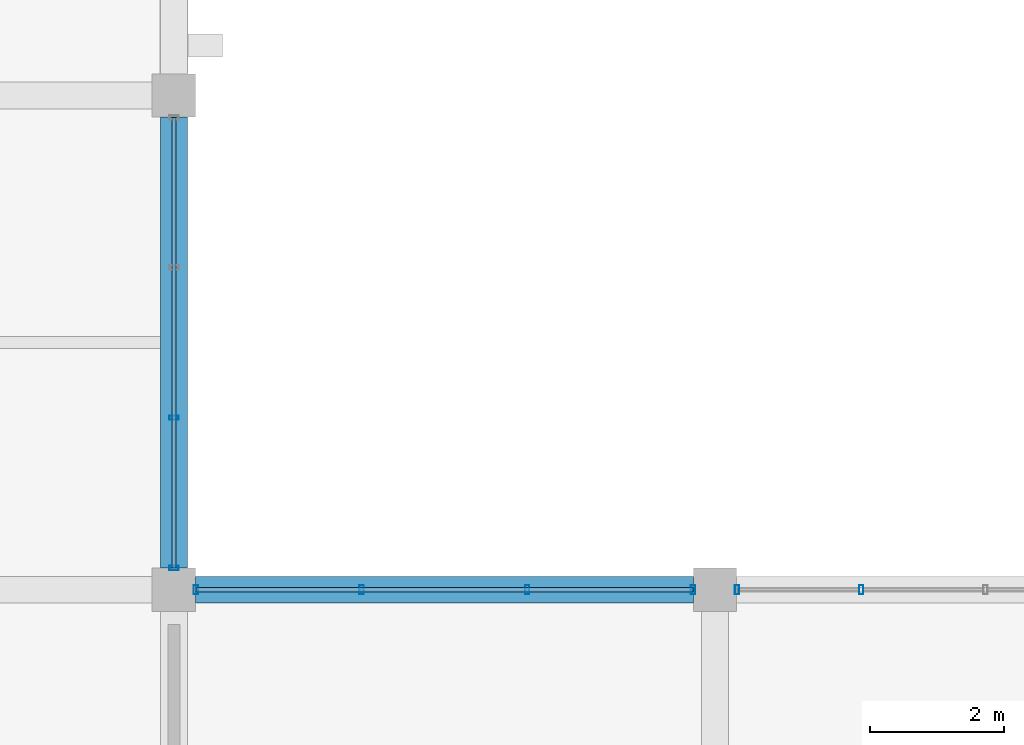
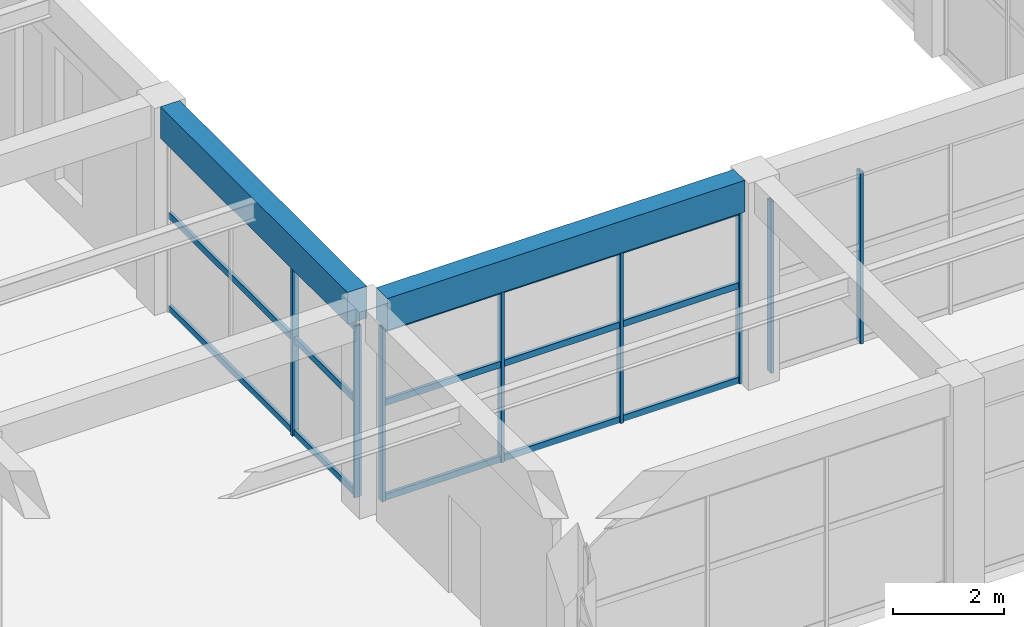
# One storey, part 116 of 161: 14 members, 2 beams, 3 elements without a shape of their own.
"""IFC4 building model written with IfcOpenShell, lengths in metres."""

from ifc_helpers import new_model, si_unit, direction, frame, origin, origin_2d, place, context, subcontext, project, spatial, rectangle, hollow_rectangle, extrude, material, material_profile, profile_set, type_object, element, aggregate, save


model = new_model("IFC4")

# Units and contexts
model_context = context("Model", 3, precision=1e-05, world=origin(), true_north=direction((0.0, 1.0)))
body_context = subcontext(model_context, "Body", "Model", "MODEL_VIEW")
ifc_project = project(units=[si_unit("LENGTHUNIT", "METRE"), si_unit("AREAUNIT", "SQUARE_METRE"), si_unit("VOLUMEUNIT", "CUBIC_METRE"), si_unit("PLANEANGLEUNIT", "RADIAN"), si_unit("MASSUNIT", "GRAM", prefix="KILO")], contexts=[model_context])

# Site, building, storey
site_placement = place(None, origin())
site = spatial("IfcSite", under=ifc_project, at=site_placement, CompositionType="ELEMENT")
building_placement = place(site_placement, origin())
building = spatial("IfcBuilding", under=site, at=building_placement, Name="Cimatlan Art Gallery", CompositionType="ELEMENT")
storey_placement = place(building_placement, frame((0.0, 0.0, 5.39990234375)))
storey = spatial("IfcBuildingStorey", under=building, at=storey_placement, Name="L01", CompositionType="ELEMENT", Elevation=5.39990234375)

# Beams
ifc_material_1 = material(Name="Concrete C40/50", Category="concrete")
ifc_material_profile_1 = material_profile(ifc_material_1, rectangle(XDim=0.39990234375, YDim=0.699951171875, at=origin_2d()), Name="RC400X700")
ifc_profile_set_1 = profile_set([ifc_material_profile_1], Name="Concrete C40/50")
beam_type = type_object("IfcBeamType", Name="BM-RC-400X700", PredefinedType="BEAM", material=ifc_profile_set_1)
beam_1_placement = place(storey_placement, frame((131.60009765625, 61.22509765625, 4.210205078125), z_axis=(0.0, 1.0, 0.0), x_axis=(-1.0, 0.0, 0.0)))
element("IfcBeam", 1, at=beam_1_placement, inside=storey, type_object=beam_type, Name="BM-Y-L01-16-08", PredefinedType="BEAM", context=body_context, shape_type="SweptSolid", body=[
    extrude(rectangle(XDim=0.39990234375, YDim=0.699951171875, at=origin_2d()), origin(), (0.0, 0.0, 1.0), 6.75),
])
beam_2_placement = place(storey_placement, frame((131.925048828125, 60.89990234375, 4.210205078125), z_axis=(1.0, 0.0, 0.0), x_axis=(0.0, 1.0, 0.0)))
element("IfcBeam", 2, at=beam_2_placement, inside=storey, type_object=beam_type, Name="BM-X-L01-16-08", PredefinedType="BEAM", context=body_context, shape_type="SweptSolid", body=[
    extrude(rectangle(XDim=0.39990234375, YDim=0.699951171875, at=origin_2d()), origin(), (0.0, 0.0, 1.0), 7.449951171875),
])

# Curtain wall, members
ifc_material_2 = material(Name="Anodised bronze unitised curtain wall")
curtain_wall_type_1 = type_object("IfcCurtainWallType", Name="CW-V-06742X03770-B3", PredefinedType="NOTDEFINED", material=ifc_material_2)
curtain_wall_1_placement = place(storey_placement, origin())
curtain_wall_1 = element("IfcCurtainWall", 3, at=curtain_wall_1_placement, inside=storey, type_object=curtain_wall_type_1, Name="CW-L01-15-08-E", PredefinedType="NOTDEFINED")
ifc_material_3 = material(Name="Anodised bronze aluminium 6063-T6", Category="aluminium")
ifc_material_profile_2 = material_profile(ifc_material_3, hollow_rectangle(XDim=0.06494140625, YDim=0.139892578125, WallThickness=0.00390625, at=origin_2d()), Name="ALU65X140X4")
ifc_profile_set_2 = profile_set([ifc_material_profile_2], Name="Anodised bronze aluminium 6063-T6")
member_type_1 = type_object("IfcMemberType", Name="CW-MUL-140", PredefinedType="MULLION", material=ifc_profile_set_2)
member_1_placement = place(storey_placement, frame((131.60009765625, 63.476318359375, 0.0), z_axis=(0.0, 0.0, 1.0), x_axis=(0.0, 1.0, 0.0)))
member_1 = element("IfcMember", 4, at=member_1_placement, type_object=member_type_1, Name="CW-L01-15-08-E-M3", PredefinedType="MULLION", context=body_context, shape_type="SweptSolid", body=[
    extrude(hollow_rectangle(XDim=0.06494140625, YDim=0.139892578125, WallThickness=0.00390625, at=origin_2d()), origin(), (0.0, 0.0, 1.0), 3.77001953125),
])
member_2_placement = place(storey_placement, frame((131.60009765625, 61.22900390625, 0.0), z_axis=(0.0, 0.0, 1.0), x_axis=(0.0, 1.0, 0.0)))
member_2 = element("IfcMember", 5, at=member_2_placement, type_object=member_type_1, Name="CW-L01-15-08-E-M4", PredefinedType="MULLION", context=body_context, shape_type="SweptSolid", body=[
    extrude(hollow_rectangle(XDim=0.06494140625, YDim=0.139892578125, WallThickness=0.00390625, at=origin_2d()), origin(), (0.0, 0.0, 1.0), 3.77001953125),
])

curtain_wall_type_2 = type_object("IfcCurtainWallType", Name="CW-V-07442X03830-B3", PredefinedType="NOTDEFINED", material=ifc_material_2)
curtain_wall_2_placement = place(storey_placement, origin())
curtain_wall_2 = element("IfcCurtainWall", 6, at=curtain_wall_2_placement, inside=storey, type_object=curtain_wall_type_2, Name="CW-L01-16-07-N", PredefinedType="NOTDEFINED")
member_3_placement = place(storey_placement, frame((131.928955078125, 60.89990234375, 0.0), z_axis=(0.0, 0.0, 1.0), x_axis=(1.0, 0.0, 0.0)))
member_3 = element("IfcMember", 7, at=member_3_placement, type_object=member_type_1, Name="CW-L01-16-07-N-M1", PredefinedType="MULLION", context=body_context, shape_type="SweptSolid", body=[
    extrude(hollow_rectangle(XDim=0.06494140625, YDim=0.139892578125, WallThickness=0.00390625, at=origin_2d()), origin(), (0.0, 0.0, 1.0), 3.830078125),
])
member_4_placement = place(storey_placement, frame((134.40966796875, 60.89990234375, 0.0), z_axis=(0.0, 0.0, 1.0), x_axis=(1.0, 0.0, 0.0)))
member_4 = element("IfcMember", 8, at=member_4_placement, type_object=member_type_1, Name="CW-L01-16-07-N-M2", PredefinedType="MULLION", context=body_context, shape_type="SweptSolid", body=[
    extrude(hollow_rectangle(XDim=0.06494140625, YDim=0.139892578125, WallThickness=0.00390625, at=origin_2d()), origin(), (0.0, 0.0, 1.0), 3.830078125),
])
member_5_placement = place(storey_placement, frame((136.890380859375, 60.89990234375, 0.0), z_axis=(0.0, 0.0, 1.0), x_axis=(1.0, 0.0, 0.0)))
member_5 = element("IfcMember", 9, at=member_5_placement, type_object=member_type_1, Name="CW-L01-16-07-N-M3", PredefinedType="MULLION", context=body_context, shape_type="SweptSolid", body=[
    extrude(hollow_rectangle(XDim=0.06494140625, YDim=0.139892578125, WallThickness=0.00390625, at=origin_2d()), origin(), (0.0, 0.0, 1.0), 3.830078125),
])
member_6_placement = place(storey_placement, frame((139.37109375, 60.89990234375, 0.0), z_axis=(0.0, 0.0, 1.0), x_axis=(1.0, 0.0, 0.0)))
member_6 = element("IfcMember", 10, at=member_6_placement, type_object=member_type_1, Name="CW-L01-16-07-N-M4", PredefinedType="MULLION", context=body_context, shape_type="SweptSolid", body=[
    extrude(hollow_rectangle(XDim=0.06494140625, YDim=0.139892578125, WallThickness=0.00390625, at=origin_2d()), origin(), (0.0, 0.0, 1.0), 3.830078125),
])

curtain_wall_type_3 = type_object("IfcCurtainWallType", Name="CW-V-07442X03785-B4", PredefinedType="NOTDEFINED", material=ifc_material_2)
curtain_wall_3_placement = place(storey_placement, origin())
curtain_wall_3 = element("IfcCurtainWall", 11, at=curtain_wall_3_placement, inside=storey, type_object=curtain_wall_type_3, Name="CW-L01-17-07-N", PredefinedType="NOTDEFINED")
member_7_placement = place(storey_placement, frame((140.029052734375, 60.89990234375, 0.0), z_axis=(0.0, 0.0, 1.0), x_axis=(1.0, 0.0, 0.0)))
member_7 = element("IfcMember", 12, at=member_7_placement, type_object=member_type_1, Name="CW-L01-17-07-N-M1", PredefinedType="MULLION", context=body_context, shape_type="SweptSolid", body=[
    extrude(hollow_rectangle(XDim=0.06494140625, YDim=0.139892578125, WallThickness=0.00390625, at=origin_2d()), origin(), (0.0, 0.0, 1.0), 3.78515625),
])
member_8_placement = place(storey_placement, frame((141.889404296875, 60.89990234375, 0.0), z_axis=(0.0, 0.0, 1.0), x_axis=(1.0, 0.0, 0.0)))
member_8 = element("IfcMember", 13, at=member_8_placement, type_object=member_type_1, Name="CW-L01-17-07-N-M2", PredefinedType="MULLION", context=body_context, shape_type="SweptSolid", body=[
    extrude(hollow_rectangle(XDim=0.06494140625, YDim=0.139892578125, WallThickness=0.00390625, at=origin_2d()), origin(), (0.0, 0.0, 1.0), 3.78515625),
])
aggregate(curtain_wall_3, [member_7, member_8])

# Member
ifc_material_profile_3 = material_profile(ifc_material_3, hollow_rectangle(XDim=0.06494140625, YDim=0.139892578125, WallThickness=0.00390625, at=origin_2d()), Name="ALU65X140X4")
ifc_profile_set_3 = profile_set([ifc_material_profile_3], Name="Anodised bronze aluminium 6063-T6")
member_type_2 = type_object("IfcMemberType", Name="CW-TRN-140", PredefinedType="USERDEFINED", material=ifc_profile_set_3)
member_9_placement = place(storey_placement, frame((131.60009765625, 67.970947265625, 0.06005859375), z_axis=(0.0, -1.0, 0.0), x_axis=(1.0, 0.0, 0.0)))
member_9 = element("IfcMember", 14, at=member_9_placement, type_object=member_type_2, Name="CW-L01-15-08-E-T1", ObjectType="TRANSOM", PredefinedType="USERDEFINED", context=body_context, shape_type="SweptSolid", body=[
    extrude(hollow_rectangle(XDim=0.06494140625, YDim=0.139892578125, WallThickness=0.00390625, at=origin_2d()), origin(), (0.0, 0.0, 1.0), 6.741943359375),
])

member_10_placement = place(storey_placement, frame((131.60009765625, 67.970947265625, 2.111328125), z_axis=(0.0, -1.0, 0.0), x_axis=(1.0, 0.0, 0.0)))
member_10 = element("IfcMember", 15, at=member_10_placement, type_object=member_type_2, Name="CW-L01-15-08-E-T2", ObjectType="TRANSOM", PredefinedType="USERDEFINED", context=body_context, shape_type="SweptSolid", body=[
    extrude(hollow_rectangle(XDim=0.06494140625, YDim=0.139892578125, WallThickness=0.00390625, at=origin_2d()), origin(), (0.0, 0.0, 1.0), 6.741943359375),
])

member_11_placement = place(storey_placement, frame((131.60009765625, 67.970947265625, 3.710205078125), z_axis=(0.0, -1.0, 0.0), x_axis=(1.0, 0.0, 0.0)))
member_11 = element("IfcMember", 16, at=member_11_placement, type_object=member_type_2, Name="CW-L01-15-08-E-T3", ObjectType="TRANSOM", PredefinedType="USERDEFINED", context=body_context, shape_type="SweptSolid", body=[
    extrude(hollow_rectangle(XDim=0.06494140625, YDim=0.139892578125, WallThickness=0.00390625, at=origin_2d()), origin(), (0.0, 0.0, 1.0), 6.741943359375),
])

aggregate(curtain_wall_1, [member_1, member_2, member_9, member_10, member_11])

member_12_placement = place(storey_placement, frame((131.928955078125, 60.89990234375, 0.06005859375), z_axis=(1.0, 0.0, 0.0), x_axis=(0.0, 1.0, 0.0)))
member_12 = element("IfcMember", 17, at=member_12_placement, type_object=member_type_2, Name="CW-L01-16-07-N-T1", ObjectType="TRANSOM", PredefinedType="USERDEFINED", context=body_context, shape_type="SweptSolid", body=[
    extrude(hollow_rectangle(XDim=0.06494140625, YDim=0.139892578125, WallThickness=0.00390625, at=origin_2d()), origin(), (0.0, 0.0, 1.0), 7.442138671875),
])

member_13_placement = place(storey_placement, frame((131.928955078125, 60.89990234375, 2.14501953125), z_axis=(1.0, 0.0, 0.0), x_axis=(0.0, 1.0, 0.0)))
member_13 = element("IfcMember", 18, at=member_13_placement, type_object=member_type_2, Name="CW-L01-16-07-N-T2", ObjectType="TRANSOM", PredefinedType="USERDEFINED", context=body_context, shape_type="SweptSolid", body=[
    extrude(hollow_rectangle(XDim=0.06494140625, YDim=0.139892578125, WallThickness=0.00390625, at=origin_2d()), origin(), (0.0, 0.0, 1.0), 7.442138671875),
])

member_14_placement = place(storey_placement, frame((131.928955078125, 60.89990234375, 3.77001953125), z_axis=(1.0, 0.0, 0.0), x_axis=(0.0, 1.0, 0.0)))
member_14 = element("IfcMember", 19, at=member_14_placement, type_object=member_type_2, Name="CW-L01-16-07-N-T3", ObjectType="TRANSOM", PredefinedType="USERDEFINED", context=body_context, shape_type="SweptSolid", body=[
    extrude(hollow_rectangle(XDim=0.06494140625, YDim=0.139892578125, WallThickness=0.00390625, at=origin_2d()), origin(), (0.0, 0.0, 1.0), 7.442138671875),
])

aggregate(curtain_wall_2, [member_3, member_4, member_5, member_6, member_12, member_13, member_14])

save(model, "model.ifc")
